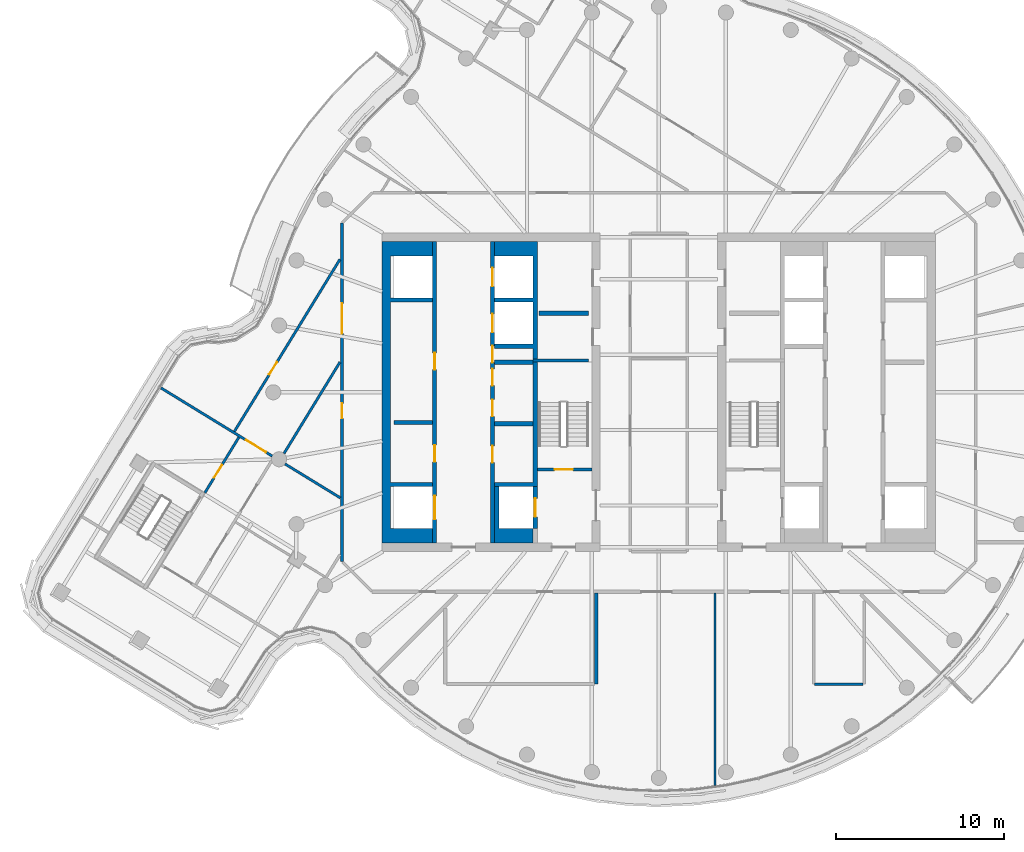
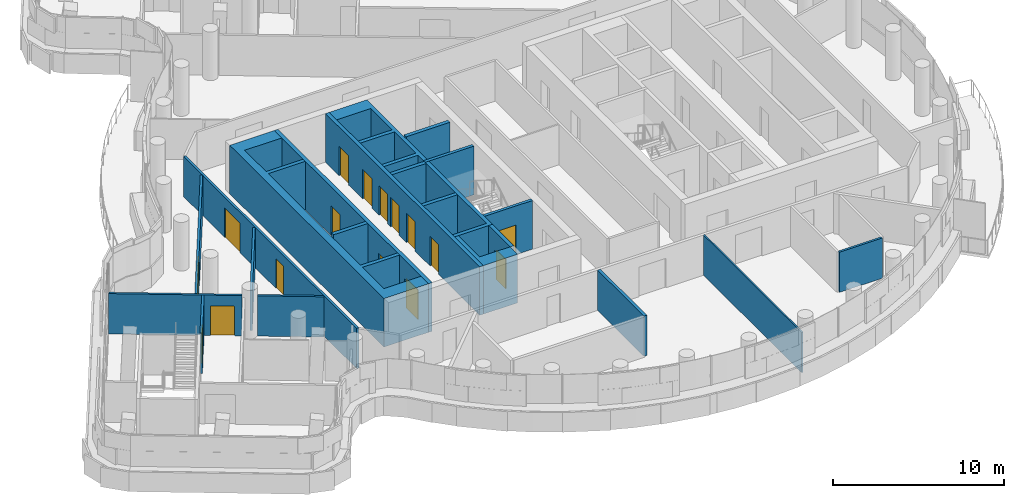
# One storey, part 17 of 27: 21 walls, 16 doors, 16 openings.
"""IFC4 building model written with IfcOpenShell, lengths in metres."""

from ifc_helpers import new_model, si_unit, direction, frame, frame_2d, origin, place, context, subcontext, project, spatial, polyline, rectangle, outline, extrude, material, layer, layer_set, type_object, element, fill, save


model = new_model("IFC4")

# Units and contexts
model_context = context("Model", 3, precision=1e-05, world=origin(), true_north=direction((0.0, 1.0)))
body_context = subcontext(model_context, "Body", "Model", "MODEL_VIEW")
ifc_project = project(units=[si_unit("LENGTHUNIT", "METRE"), si_unit("AREAUNIT", "SQUARE_METRE"), si_unit("VOLUMEUNIT", "CUBIC_METRE"), si_unit("PLANEANGLEUNIT", "RADIAN"), si_unit("MASSUNIT", "GRAM", prefix="KILO")], contexts=[model_context])

# Site, building, storey
site_placement = place(None, origin())
site = spatial("IfcSite", under=ifc_project, at=site_placement, CompositionType="ELEMENT")
building_placement = place(site_placement, origin())
building = spatial("IfcBuilding", under=site, at=building_placement, Name="Tamarind Cross Interchange Tower", CompositionType="ELEMENT")
storey_placement = place(building_placement, frame((0.0, 0.0, 245.10009765625)))
storey = spatial("IfcBuildingStorey", under=building, at=storey_placement, Name="L62", CompositionType="ELEMENT", Elevation=245.10009765625)

# Walls
ifc_material_1 = material(Name="Concrete C50", Category="concrete")
ifc_layer_1 = layer(ifc_material_1, 0.5)
ifc_layer_set_1 = layer_set([ifc_layer_1], Name="Concrete C50")
wall_type_1 = type_object("IfcWallType", Name="Core wall 500 mm Concrete C50", PredefinedType="SHEAR", material=ifc_layer_set_1)
wall_1_placement = place(storey_placement, origin())
element("IfcWall", 1, at=wall_1_placement, inside=storey, type_object=wall_type_1, Name="Core wall CWL-L62-W-A", PredefinedType="SHEAR", context=body_context, shape_type="SweptSolid", body=[
    extrude(outline(polyline([(-13.5, -8.125), (-16.0, -8.125), (-16.0, -5.625), (-13.5, -5.625), (-13.5, -5.375), (-16.0, -5.375), (-16.0, 5.375), (-13.5, 5.375), (-13.5, 5.625), (-16.0, 5.625), (-16.0, 8.125), (-13.5, 8.125), (-13.5, 9.0), (-16.0, 9.0), (-16.5, 9.0), (-16.5, -9.0), (-16.0, -9.0), (-13.5, -9.0), (-13.5, -8.125)])), origin(), (0.0, 0.0, 1.0), 3.4599609375),
])
ifc_layer_2 = layer(ifc_material_1, 0.199951171875)
ifc_layer_set_2 = layer_set([ifc_layer_2], Name="Concrete C50")
wall_type_2 = type_object("IfcWallType", Name="Core web wall 200 mm Concrete C50", PredefinedType="SHEAR", material=ifc_layer_set_2)
wall_2_placement = place(storey_placement, frame((-7.5, 1.89990234375, 0.0), z_axis=(0.0, 0.0, 1.0), x_axis=(1.0, 0.0, 0.0)))
element("IfcWall", 2, at=wall_2_placement, inside=storey, type_object=wall_type_2, Name="Core wall CWL-L62-W-BD", PredefinedType="SHEAR", context=body_context, shape_type="SweptSolid", body=[
    extrude(rectangle(XDim=3.300048828125, YDim=0.199951171875, at=frame_2d((1.64990234375, 0.0))), origin(), (0.0, 0.0, 1.0), 3.4599609375),
])
ifc_layer_3 = layer(ifc_material_1, 0.25)
ifc_layer_set_3 = layer_set([ifc_layer_3], Name="Concrete C50")
wall_type_3 = type_object("IfcWallType", Name="Core web wall 250 mm Concrete C50", PredefinedType="SHEAR", material=ifc_layer_set_3)
wall_3_placement = place(storey_placement, origin())
element("IfcWall", 3, at=wall_3_placement, inside=storey, type_object=wall_type_3, Name="Core wall CWL-L62-W-BN", PredefinedType="SHEAR", context=body_context, shape_type="SweptSolid", body=[
    extrude(outline(polyline([(-9.800048828125, -5.375), (-9.800048828125, -5.625), (-7.5, -5.625), (-7.25, -5.625), (-7.25, 9.0), (-7.5, 9.0), (-9.800048828125, 9.0), (-9.800048828125, 8.125), (-7.5, 8.125), (-7.5, 5.625), (-9.800048828125, 5.625), (-9.800048828125, 5.375), (-7.5, 5.375), (-7.5, 2.875), (-9.800048828125, 2.875), (-9.800048828125, 2.625), (-7.5, 2.625), (-7.5, -5.375), (-9.800048828125, -5.375)])), origin(), (0.0, 0.0, 1.0), 3.4599609375),
])
wall_4_placement = place(storey_placement, origin())
element("IfcWall", 4, at=wall_4_placement, inside=storey, type_object=wall_type_3, Name="Core wall CWL-L62-W-BS", PredefinedType="SHEAR", context=body_context, shape_type="SweptSolid", body=[
    extrude(outline(polyline([(-7.5, -8.125), (-9.550048828125, -8.125), (-9.550048828125, -5.625), (-9.800048828125, -5.625), (-9.800048828125, -8.125), (-9.800048828125, -9.0), (-7.5, -9.0), (-7.5, -8.125)])), origin(), (0.0, 0.0, 1.0), 3.4599609375),
])

# Wall, openings, doors
wall_5_placement = place(storey_placement, frame((-13.375, -9.0, 0.0), z_axis=(0.0, 0.0, 1.0), x_axis=(0.0, 1.0, 0.0)))
wall_5 = element("IfcWall", 5, at=wall_5_placement, inside=storey, type_object=wall_type_3, Name="Core wall CWL-L62-W-LA", PredefinedType="SHEAR", context=body_context, shape_type="SweptSolid", body=[
    extrude(rectangle(XDim=18.0, YDim=0.25, at=frame_2d((9.0, 0.0))), origin(), (0.0, 0.0, 1.0), 3.4599609375),
])
opening_1_placement = place(wall_5_placement, frame((1.425048828125, 0.0, 0.0)))
opening_1 = element("IfcOpeningElement", 6, at=opening_1_placement, cuts=wall_5, Name="Opening LD1L62", PredefinedType="OPENING", context=body_context, shape_type="SweptSolid", body=[
    extrude(rectangle(XDim=1.39990234375, YDim=2.10009765625, at=frame_2d((0.699951171875, 1.050048828125))), frame((0.0, 0.135009765625, 0.0), z_axis=(0.0, -1.0, 0.0), x_axis=(1.0, 0.0, 0.0)), (0.0, 0.0, 1.0), 0.27001953125),
])
opening_2_placement = place(wall_5_placement, frame((4.85400390625, 0.0, 0.0)))
opening_2 = element("IfcOpeningElement", 7, at=opening_2_placement, cuts=wall_5, Name="Opening DCW9", PredefinedType="OPENING", context=body_context, shape_type="SweptSolid", body=[
    extrude(rectangle(XDim=1.0, YDim=2.10009765625, at=frame_2d((0.5, 1.050048828125))), frame((0.0, 0.135009765625, 0.0), z_axis=(0.0, -1.0, 0.0), x_axis=(1.0, 0.0, 0.0)), (0.0, 0.0, 1.0), 0.27001953125),
])
opening_3_placement = place(wall_5_placement, frame((10.35400390625, 0.0, 0.0)))
opening_3 = element("IfcOpeningElement", 8, at=opening_3_placement, cuts=wall_5, Name="Opening DCW10", PredefinedType="OPENING", context=body_context, shape_type="SweptSolid", body=[
    extrude(rectangle(XDim=1.0, YDim=2.10009765625, at=frame_2d((0.5, 1.050048828125))), frame((0.0, 0.135009765625, 0.0), z_axis=(0.0, -1.0, 0.0), x_axis=(1.0, 0.0, 0.0)), (0.0, 0.0, 1.0), 0.27001953125),
])
ifc_material_2 = material(Name="Steel, fire-resisting", Category="steel")
door_type_1 = type_object("IfcDoorType", Name="Core fire door 1000 x 2100 FD90", OperationType="SINGLE_SWING_LEFT", PredefinedType="DOOR", material=ifc_material_2)
door_1_placement = place(opening_2_placement, origin())
door_1 = element("IfcDoor", 9, at=door_1_placement, inside=storey, type_object=door_type_1, Name="L62 Staff changing room door", OperationType="SINGLE_SWING_LEFT", OverallHeight=2.10009765625, OverallWidth=1.0, PredefinedType="DOOR", context=body_context, shape_type="SweptSolid", body=[
    extrude(rectangle(XDim=1.0, YDim=2.10009765625, at=frame_2d((0.5, 1.050048828125))), frame((0.0, 0.02490234375, 0.0), z_axis=(0.0, -1.0, 0.0), x_axis=(1.0, 0.0, 0.0)), (0.0, 0.0, 1.0), 0.050048828125),
])
fill(opening_2, door_1)
door_2_placement = place(opening_3_placement, origin())
door_2 = element("IfcDoor", 10, at=door_2_placement, inside=storey, type_object=door_type_1, Name="L62 Ice and vending room door", OperationType="SINGLE_SWING_LEFT", OverallHeight=2.10009765625, OverallWidth=1.0, PredefinedType="DOOR", context=body_context, shape_type="SweptSolid", body=[
    extrude(rectangle(XDim=1.0, YDim=2.10009765625, at=frame_2d((0.5, 1.050048828125))), frame((0.0, 0.02490234375, 0.0), z_axis=(0.0, -1.0, 0.0), x_axis=(1.0, 0.0, 0.0)), (0.0, 0.0, 1.0), 0.050048828125),
])
fill(opening_3, door_2)
ifc_material_3 = material(Name="Stainless steel panel", Category="steel")
door_type_2 = type_object("IfcDoorType", Name="Lift landing door 1400 x 2100 E 120", OperationType="SLIDING_TO_LEFT", PredefinedType="DOOR", material=ifc_material_3)
door_3_placement = place(opening_1_placement, origin())
door_3 = element("IfcDoor", 11, at=door_3_placement, inside=storey, type_object=door_type_2, Name="L62 landing door LF1", OperationType="SLIDING_TO_LEFT", OverallHeight=2.10009765625, OverallWidth=1.39990234375, PredefinedType="DOOR", context=body_context, shape_type="SweptSolid", body=[
    extrude(rectangle(XDim=1.39990234375, YDim=2.10009765625, at=frame_2d((0.699951171875, 1.050048828125))), frame((0.0, 0.02490234375, 0.0), z_axis=(0.0, -1.0, 0.0), x_axis=(1.0, 0.0, 0.0)), (0.0, 0.0, 1.0), 0.050048828125),
])
fill(opening_1, door_3)

wall_6_placement = place(storey_placement, frame((-9.925048828125, -9.0, 0.0), z_axis=(0.0, 0.0, 1.0), x_axis=(0.0, 1.0, 0.0)))
wall_6 = element("IfcWall", 12, at=wall_6_placement, inside=storey, type_object=wall_type_3, Name="Core wall CWL-L62-W-LB", PredefinedType="SHEAR", context=body_context, shape_type="SweptSolid", body=[
    extrude(rectangle(XDim=18.0, YDim=0.25, at=frame_2d((9.0, 0.0))), origin(), (0.0, 0.0, 1.0), 3.4599609375),
])
opening_4_placement = place(wall_6_placement, frame((12.574951171875, 0.0, 0.0)))
opening_4 = element("IfcOpeningElement", 13, at=opening_4_placement, cuts=wall_6, Name="Opening LD11L62", PredefinedType="OPENING", context=body_context, shape_type="SweptSolid", body=[
    extrude(rectangle(XDim=1.10009765625, YDim=2.10009765625, at=frame_2d((0.550048828125, 1.050048828125))), frame((0.0, 0.135009765625, 0.0), z_axis=(0.0, -1.0, 0.0), x_axis=(1.0, 0.0, 0.0)), (0.0, 0.0, 1.0), 0.27001953125),
])
opening_5_placement = place(wall_6_placement, frame((15.324951171875, 0.0, 0.0)))
opening_5 = element("IfcOpeningElement", 14, at=opening_5_placement, cuts=wall_6, Name="Opening LD12L62", PredefinedType="OPENING", context=body_context, shape_type="SweptSolid", body=[
    extrude(rectangle(XDim=1.10009765625, YDim=2.10009765625, at=frame_2d((0.550048828125, 1.050048828125))), frame((0.0, 0.135009765625, 0.0), z_axis=(0.0, -1.0, 0.0), x_axis=(1.0, 0.0, 0.0)), (0.0, 0.0, 1.0), 0.27001953125),
])
opening_6_placement = place(wall_6_placement, frame((4.8125, 0.0, 0.0)))
opening_6 = element("IfcOpeningElement", 15, at=opening_6_placement, cuts=wall_6, Name="Opening DCW21", PredefinedType="OPENING", context=body_context, shape_type="SweptSolid", body=[
    extrude(rectangle(XDim=1.0, YDim=2.10009765625, at=frame_2d((0.5, 1.050048828125))), frame((0.0, 0.135009765625, 0.0), z_axis=(0.0, -1.0, 0.0), x_axis=(1.0, 0.0, 0.0)), (0.0, 0.0, 1.0), 0.27001953125),
])
opening_7_placement = place(wall_6_placement, frame((7.5625, 0.0, 0.0)))
opening_7 = element("IfcOpeningElement", 16, at=opening_7_placement, cuts=wall_6, Name="Opening DCW22", PredefinedType="OPENING", context=body_context, shape_type="SweptSolid", body=[
    extrude(rectangle(XDim=1.0, YDim=2.10009765625, at=frame_2d((0.5, 1.050048828125))), frame((0.0, 0.135009765625, 0.0), z_axis=(0.0, -1.0, 0.0), x_axis=(1.0, 0.0, 0.0)), (0.0, 0.0, 1.0), 0.27001953125),
])
opening_8_placement = place(wall_6_placement, frame((9.39599609375, 0.0, 0.0)))
opening_8 = element("IfcOpeningElement", 17, at=opening_8_placement, cuts=wall_6, Name="Opening DCW21", PredefinedType="OPENING", context=body_context, shape_type="SweptSolid", body=[
    extrude(rectangle(XDim=1.0, YDim=2.10009765625, at=frame_2d((0.5, 1.050048828125))), frame((0.0, 0.135009765625, 0.0), z_axis=(0.0, -1.0, 0.0), x_axis=(1.0, 0.0, 0.0)), (0.0, 0.0, 1.0), 0.27001953125),
])
opening_9_placement = place(wall_6_placement, frame((10.77099609375, 0.0, 0.0)))
opening_9 = element("IfcOpeningElement", 18, at=opening_9_placement, cuts=wall_6, Name="Opening DCW22", PredefinedType="OPENING", context=body_context, shape_type="SweptSolid", body=[
    extrude(rectangle(XDim=1.0, YDim=2.10009765625, at=frame_2d((0.5, 1.050048828125))), frame((0.0, 0.135009765625, 0.0), z_axis=(0.0, -1.0, 0.0), x_axis=(1.0, 0.0, 0.0)), (0.0, 0.0, 1.0), 0.27001953125),
])
door_4_placement = place(opening_6_placement, origin())
door_4 = element("IfcDoor", 19, at=door_4_placement, inside=storey, type_object=door_type_1, Name="L62 Ice and vending room door", OperationType="SINGLE_SWING_LEFT", OverallHeight=2.10009765625, OverallWidth=1.0, PredefinedType="DOOR", context=body_context, shape_type="SweptSolid", body=[
    extrude(rectangle(XDim=1.0, YDim=2.10009765625, at=frame_2d((0.5, 1.050048828125))), frame((0.0, 0.02490234375, 0.0), z_axis=(0.0, -1.0, 0.0), x_axis=(1.0, 0.0, 0.0)), (0.0, 0.0, 1.0), 0.050048828125),
])
fill(opening_6, door_4)
door_5_placement = place(opening_7_placement, origin())
door_5 = element("IfcDoor", 20, at=door_5_placement, inside=storey, type_object=door_type_1, Name="L62 Guest laundry door", OperationType="SINGLE_SWING_LEFT", OverallHeight=2.10009765625, OverallWidth=1.0, PredefinedType="DOOR", context=body_context, shape_type="SweptSolid", body=[
    extrude(rectangle(XDim=1.0, YDim=2.10009765625, at=frame_2d((0.5, 1.050048828125))), frame((0.0, 0.02490234375, 0.0), z_axis=(0.0, -1.0, 0.0), x_axis=(1.0, 0.0, 0.0)), (0.0, 0.0, 1.0), 0.050048828125),
])
fill(opening_7, door_5)
door_6_placement = place(opening_8_placement, origin())
door_6 = element("IfcDoor", 21, at=door_6_placement, inside=storey, type_object=door_type_1, Name="L62 Ice and vending room door", OperationType="SINGLE_SWING_LEFT", OverallHeight=2.10009765625, OverallWidth=1.0, PredefinedType="DOOR", context=body_context, shape_type="SweptSolid", body=[
    extrude(rectangle(XDim=1.0, YDim=2.10009765625, at=frame_2d((0.5, 1.050048828125))), frame((0.0, 0.02490234375, 0.0), z_axis=(0.0, -1.0, 0.0), x_axis=(1.0, 0.0, 0.0)), (0.0, 0.0, 1.0), 0.050048828125),
])
fill(opening_8, door_6)
door_7_placement = place(opening_9_placement, origin())
door_7 = element("IfcDoor", 22, at=door_7_placement, inside=storey, type_object=door_type_1, Name="L62 Guest laundry door", OperationType="SINGLE_SWING_LEFT", OverallHeight=2.10009765625, OverallWidth=1.0, PredefinedType="DOOR", context=body_context, shape_type="SweptSolid", body=[
    extrude(rectangle(XDim=1.0, YDim=2.10009765625, at=frame_2d((0.5, 1.050048828125))), frame((0.0, 0.02490234375, 0.0), z_axis=(0.0, -1.0, 0.0), x_axis=(1.0, 0.0, 0.0)), (0.0, 0.0, 1.0), 0.050048828125),
])
fill(opening_9, door_7)
door_type_3 = type_object("IfcDoorType", Name="Lift landing door 1100 x 2100 E 120", OperationType="SLIDING_TO_LEFT", PredefinedType="DOOR", material=ifc_material_3)
door_8_placement = place(opening_4_placement, origin())
door_8 = element("IfcDoor", 23, at=door_8_placement, inside=storey, type_object=door_type_3, Name="L62 landing door LF11", OperationType="SLIDING_TO_LEFT", OverallHeight=2.10009765625, OverallWidth=1.10009765625, PredefinedType="DOOR", context=body_context, shape_type="SweptSolid", body=[
    extrude(rectangle(XDim=1.10009765625, YDim=2.10009765625, at=frame_2d((0.550048828125, 1.050048828125))), frame((0.0, 0.02490234375, 0.0), z_axis=(0.0, -1.0, 0.0), x_axis=(1.0, 0.0, 0.0)), (0.0, 0.0, 1.0), 0.050048828125),
])
fill(opening_4, door_8)
door_9_placement = place(opening_5_placement, origin())
door_9 = element("IfcDoor", 24, at=door_9_placement, inside=storey, type_object=door_type_3, Name="L62 landing door LF12", OperationType="SLIDING_TO_LEFT", OverallHeight=2.10009765625, OverallWidth=1.10009765625, PredefinedType="DOOR", context=body_context, shape_type="SweptSolid", body=[
    extrude(rectangle(XDim=1.10009765625, YDim=2.10009765625, at=frame_2d((0.550048828125, 1.050048828125))), frame((0.0, 0.02490234375, 0.0), z_axis=(0.0, -1.0, 0.0), x_axis=(1.0, 0.0, 0.0)), (0.0, 0.0, 1.0), 0.050048828125),
])
fill(opening_5, door_9)

# Wall, opening, door
wall_7_placement = place(storey_placement, frame((-7.375, -8.125, 0.0), z_axis=(0.0, 0.0, 1.0), x_axis=(0.0, 1.0, 0.0)))
wall_7 = element("IfcWall", 25, at=wall_7_placement, inside=storey, type_object=wall_type_3, Name="Core wall CWL-L62-W-FF", PredefinedType="SHEAR", context=body_context, shape_type="SweptSolid", body=[
    extrude(rectangle(XDim=2.5, YDim=0.25, at=frame_2d((1.25, 0.0))), origin(), (0.0, 0.0, 1.0), 3.4599609375),
])
opening_10_placement = place(wall_7_placement, frame((0.699951171875, 0.0, 0.0)))
opening_10 = element("IfcOpeningElement", 26, at=opening_10_placement, cuts=wall_7, Name="Opening LD7L62", PredefinedType="OPENING", context=body_context, shape_type="SweptSolid", body=[
    extrude(rectangle(XDim=1.10009765625, YDim=2.10009765625, at=frame_2d((0.550048828125, 1.050048828125))), frame((0.0, 0.135009765625, 0.0), z_axis=(0.0, -1.0, 0.0), x_axis=(1.0, 0.0, 0.0)), (0.0, 0.0, 1.0), 0.27001953125),
])
door_10_placement = place(opening_10_placement, origin())
door_10 = element("IfcDoor", 27, at=door_10_placement, inside=storey, type_object=door_type_3, Name="L62 landing door LF7", OperationType="SLIDING_TO_LEFT", OverallHeight=2.10009765625, OverallWidth=1.10009765625, PredefinedType="DOOR", context=body_context, shape_type="SweptSolid", body=[
    extrude(rectangle(XDim=1.10009765625, YDim=2.10009765625, at=frame_2d((0.550048828125, 1.050048828125))), frame((0.0, 0.02490234375, 0.0), z_axis=(0.0, -1.0, 0.0), x_axis=(1.0, 0.0, 0.0)), (0.0, 0.0, 1.0), 0.050048828125),
])
fill(opening_10, door_10)

# Wall
ifc_material_4 = material(Name="Gypsum board partition on steel studs", Category="steel")
ifc_layer_4 = layer(ifc_material_4, 0.10009765625)
ifc_layer_set_4 = layer_set([ifc_layer_4], Name="Gypsum board partition on steel studs")
wall_type_4 = type_object("IfcWallType", Name="Partition 100 mm EI 90", PredefinedType="PARTITIONING", material=ifc_layer_set_4)
wall_8_placement = place(storey_placement, frame((3.347900390625, -23.438720703125, 0.0), z_axis=(0.0, 0.0, 1.0), x_axis=(0.0, 1.0, 0.0)))
element("IfcWall", 28, at=wall_8_placement, inside=storey, type_object=wall_type_4, Name="Partition L62-061", PredefinedType="PARTITIONING", context=body_context, shape_type="SweptSolid", body=[
    extrude(rectangle(XDim=11.458740234375, YDim=0.10009765625, at=frame_2d((5.7294921875, 0.0))), origin(), (0.0, 0.0, 1.0), 2.864013671875),
])

# Wall, opening, door
ifc_layer_5 = layer(ifc_material_4, 0.14990234375)
ifc_layer_set_5 = layer_set([ifc_layer_5], Name="Gypsum board partition on steel studs")
wall_type_5 = type_object("IfcWallType", Name="Partition 150 mm EI 120", PredefinedType="PARTITIONING", material=ifc_layer_set_5)
wall_9_placement = place(storey_placement, frame((-29.6962890625, 0.260498046875, 0.0), z_axis=(0.0, 0.0, 1.0), x_axis=(0.852605760598, -0.522554702395, 0.0)))
wall_9 = element("IfcWall", 29, at=wall_9_placement, inside=storey, type_object=wall_type_5, Name="Partition L62-004", PredefinedType="PARTITIONING", context=body_context, shape_type="SweptSolid", body=[
    extrude(rectangle(XDim=7.783203125, YDim=0.14990234375, at=frame_2d((3.8916015625, 0.0))), origin(), (0.0, 0.0, 1.0), 2.864013671875),
])
opening_11_placement = place(wall_9_placement, frame((5.948974609375, 0.0, 0.0)))
opening_11 = element("IfcOpeningElement", 30, at=opening_11_placement, cuts=wall_9, Name="Opening D01", PredefinedType="OPENING", context=body_context, shape_type="SweptSolid", body=[
    extrude(rectangle(XDim=1.39990234375, YDim=2.10009765625, at=frame_2d((0.699951171875, 1.050048828125))), frame((0.0, 0.0849609375, 0.0), z_axis=(0.0, -1.0, 0.0), x_axis=(1.0, 0.0, 0.0)), (0.0, 0.0, 1.0), 0.169921875),
])
ifc_material_5 = material(Name="Fire-resisting door set")
door_type_4 = type_object("IfcDoorType", Name="Interior door 1400 x 2100 FD60S", OperationType="DOUBLE_DOOR_SINGLE_SWING", PredefinedType="DOOR", material=ifc_material_5)
door_11_placement = place(opening_11_placement, origin())
door_11 = element("IfcDoor", 31, at=door_11_placement, inside=storey, type_object=door_type_4, Name="Door D01", OperationType="DOUBLE_DOOR_SINGLE_SWING", OverallHeight=2.10009765625, OverallWidth=1.39990234375, PredefinedType="DOOR", context=body_context, shape_type="SweptSolid", body=[
    extrude(rectangle(XDim=1.39990234375, YDim=2.10009765625, at=frame_2d((0.699951171875, 1.050048828125))), frame((0.0, 0.02490234375, 0.0), z_axis=(0.0, -1.0, 0.0), x_axis=(1.0, 0.0, 0.0)), (0.0, 0.0, 1.0), 0.050048828125),
])
fill(opening_11, door_11)

# Walls
wall_10_placement = place(storey_placement, frame((-22.300537109375, -4.272216796875, 0.0), z_axis=(0.0, 0.0, 1.0), x_axis=(0.852599442673, -0.522565010648, 0.0)))
element("IfcWall", 32, at=wall_10_placement, inside=storey, type_object=wall_type_5, Name="Partition L62-005", PredefinedType="PARTITIONING", context=body_context, shape_type="SweptSolid", body=[
    extrude(rectangle(XDim=3.877685546875, YDim=0.14990234375, at=frame_2d((1.93896484375, 0.0))), origin(), (0.0, 0.0, 1.0), 2.864013671875),
])
wall_11_placement = place(storey_placement, frame((9.2958984375, -17.39990234375, 0.0), z_axis=(0.0, 0.0, 1.0), x_axis=(1.0, 0.0, 0.0)))
element("IfcWall", 33, at=wall_11_placement, inside=storey, type_object=wall_type_5, Name="Partition L62-028", PredefinedType="PARTITIONING", context=body_context, shape_type="SweptSolid", body=[
    extrude(rectangle(XDim=2.89013671875, YDim=0.14990234375, at=frame_2d((1.445068359375, 0.0))), origin(), (0.0, 0.0, 1.0), 2.864013671875),
])

# Wall, opening, door
wall_12_placement = place(storey_placement, frame((-25.315185546875, -2.33203125, 0.0), z_axis=(0.0, 0.0, 1.0), x_axis=(0.522799283553, 0.852455810653, 0.0)))
wall_12 = element("IfcWall", 34, at=wall_12_placement, inside=storey, type_object=wall_type_5, Name="Partition L62-039", PredefinedType="PARTITIONING", context=body_context, shape_type="SweptSolid", body=[
    extrude(rectangle(XDim=12.041259765625, YDim=0.14990234375, at=frame_2d((6.0205078125, 0.0))), origin(), (0.0, 0.0, 1.0), 2.864013671875),
])
opening_12_placement = place(wall_12_placement, frame((3.969970703125, 0.0, 0.0)))
opening_12 = element("IfcOpeningElement", 35, at=opening_12_placement, cuts=wall_12, Name="Opening D19", PredefinedType="OPENING", context=body_context, shape_type="SweptSolid", body=[
    extrude(rectangle(XDim=0.89990234375, YDim=2.10009765625, at=frame_2d((0.449951171875, 1.050048828125))), frame((0.0, 0.0849609375, 0.0), z_axis=(0.0, -1.0, 0.0), x_axis=(1.0, 0.0, 0.0)), (0.0, 0.0, 1.0), 0.169921875),
])
door_type_5 = type_object("IfcDoorType", Name="Interior door 900 x 2100 FD60S", OperationType="SINGLE_SWING_LEFT", PredefinedType="DOOR", material=ifc_material_5)
door_12_placement = place(opening_12_placement, origin())
door_12 = element("IfcDoor", 36, at=door_12_placement, inside=storey, type_object=door_type_5, Name="Door D19", OperationType="SINGLE_SWING_RIGHT", OverallHeight=2.10009765625, OverallWidth=0.89990234375, PredefinedType="DOOR", context=body_context, shape_type="SweptSolid", body=[
    extrude(rectangle(XDim=0.89990234375, YDim=2.10009765625, at=frame_2d((0.449951171875, 1.050048828125))), frame((0.0, 0.02490234375, 0.0), z_axis=(0.0, -1.0, 0.0), x_axis=(1.0, 0.0, 0.0)), (0.0, 0.0, 1.0), 0.050048828125),
])
fill(opening_12, door_12)

wall_13_placement = place(storey_placement, frame((-27.076904296875, -5.989990234375, 0.0), z_axis=(0.0, 0.0, 1.0), x_axis=(0.522393858558, 0.852704319528, 0.0)))
wall_13 = element("IfcWall", 37, at=wall_13_placement, inside=storey, type_object=wall_type_5, Name="Partition L62-052", PredefinedType="PARTITIONING", context=body_context, shape_type="SweptSolid", body=[
    extrude(rectangle(XDim=3.88037109375, YDim=0.14990234375, at=frame_2d((1.940185546875, 0.0))), origin(), (0.0, 0.0, 1.0), 2.864013671875),
])
opening_13_placement = place(wall_13_placement, frame((1.050048828125, 0.0, 0.0)))
opening_13 = element("IfcOpeningElement", 38, at=opening_13_placement, cuts=wall_13, Name="Opening D26", PredefinedType="OPENING", context=body_context, shape_type="SweptSolid", body=[
    extrude(rectangle(XDim=0.89990234375, YDim=2.10009765625, at=frame_2d((0.449951171875, 1.050048828125))), frame((0.0, 0.0849609375, 0.0), z_axis=(0.0, -1.0, 0.0), x_axis=(1.0, 0.0, 0.0)), (0.0, 0.0, 1.0), 0.169921875),
])
door_13_placement = place(opening_13_placement, origin())
door_13 = element("IfcDoor", 39, at=door_13_placement, inside=storey, type_object=door_type_5, Name="Door D26", OperationType="SINGLE_SWING_RIGHT", OverallHeight=2.10009765625, OverallWidth=0.89990234375, PredefinedType="DOOR", context=body_context, shape_type="SweptSolid", body=[
    extrude(rectangle(XDim=0.89990234375, YDim=2.10009765625, at=frame_2d((0.449951171875, 1.050048828125))), frame((0.0, 0.02490234375, 0.0), z_axis=(0.0, -1.0, 0.0), x_axis=(1.0, 0.0, 0.0)), (0.0, 0.0, 1.0), 0.050048828125),
])
fill(opening_13, door_13)

# Wall
wall_14_placement = place(storey_placement, frame((-22.3623046875, -3.65380859375, 0.0), z_axis=(0.0, 0.0, 1.0), x_axis=(0.522380406817, 0.852712560347, 0.0)))
element("IfcWall", 40, at=wall_14_placement, inside=storey, type_object=wall_type_5, Name="Partition L62-053", PredefinedType="PARTITIONING", context=body_context, shape_type="SweptSolid", body=[
    extrude(rectangle(XDim=6.398193359375, YDim=0.14990234375, at=frame_2d((3.19921875, 0.0))), origin(), (0.0, 0.0, 1.0), 2.864013671875),
])

# Wall, openings, doors
wall_15_placement = place(storey_placement, frame((-18.89990234375, -10.10009765625, 0.0), z_axis=(0.0, 0.0, 1.0), x_axis=(0.0, 1.0, 0.0)))
wall_15 = element("IfcWall", 41, at=wall_15_placement, inside=storey, type_object=wall_type_5, Name="Partition L62-056", PredefinedType="PARTITIONING", context=body_context, shape_type="SweptSolid", body=[
    extrude(rectangle(XDim=20.2001953125, YDim=0.14990234375, at=frame_2d((10.10009765625, 0.0))), origin(), (0.0, 0.0, 1.0), 2.864013671875),
])
opening_14_placement = place(wall_15_placement, frame((13.597900390625, 0.0, 0.0)))
opening_14 = element("IfcOpeningElement", 42, at=opening_14_placement, cuts=wall_15, Name="Opening D28", PredefinedType="OPENING", context=body_context, shape_type="SweptSolid", body=[
    extrude(rectangle(XDim=1.800048828125, YDim=2.10009765625, at=frame_2d((0.89990234375, 1.050048828125))), frame((0.0, 0.0849609375, 0.0), z_axis=(0.0, -1.0, 0.0), x_axis=(1.0, 0.0, 0.0)), (0.0, 0.0, 1.0), 0.169921875),
])
opening_15_placement = place(wall_15_placement, frame((8.544921875, 0.0, 0.0)))
opening_15 = element("IfcOpeningElement", 43, at=opening_15_placement, cuts=wall_15, Name="Opening D29", PredefinedType="OPENING", context=body_context, shape_type="SweptSolid", body=[
    extrude(rectangle(XDim=0.89990234375, YDim=2.10009765625, at=frame_2d((0.449951171875, 1.050048828125))), frame((0.0, 0.0849609375, 0.0), z_axis=(0.0, -1.0, 0.0), x_axis=(1.0, 0.0, 0.0)), (0.0, 0.0, 1.0), 0.169921875),
])
door_type_6 = type_object("IfcDoorType", Name="Interior door 1800 x 2100 FD60S", OperationType="DOUBLE_DOOR_SINGLE_SWING", PredefinedType="DOOR", material=ifc_material_5)
door_14_placement = place(opening_14_placement, frame((1.800048828125, 0.0, 0.0), z_axis=(0.0, 0.0, 1.0), x_axis=(-1.0, 0.0, 0.0)))
door_14 = element("IfcDoor", 44, at=door_14_placement, inside=storey, type_object=door_type_6, Name="Door D28", OperationType="DOUBLE_DOOR_SINGLE_SWING", OverallHeight=2.10009765625, OverallWidth=1.800048828125, PredefinedType="DOOR", context=body_context, shape_type="SweptSolid", body=[
    extrude(rectangle(XDim=1.800048828125, YDim=2.10009765625, at=frame_2d((0.89990234375, 1.050048828125))), frame((0.0, 0.02490234375, 0.0), z_axis=(0.0, -1.0, 0.0), x_axis=(1.0, 0.0, 0.0)), (0.0, 0.0, 1.0), 0.050048828125),
])
fill(opening_14, door_14)
door_15_placement = place(opening_15_placement, origin())
door_15 = element("IfcDoor", 45, at=door_15_placement, inside=storey, type_object=door_type_5, Name="Door D29", OperationType="SINGLE_SWING_RIGHT", OverallHeight=2.10009765625, OverallWidth=0.89990234375, PredefinedType="DOOR", context=body_context, shape_type="SweptSolid", body=[
    extrude(rectangle(XDim=0.89990234375, YDim=2.10009765625, at=frame_2d((0.449951171875, 1.050048828125))), frame((0.0, 0.02490234375, 0.0), z_axis=(0.0, -1.0, 0.0), x_axis=(1.0, 0.0, 0.0)), (0.0, 0.0, 1.0), 0.050048828125),
])
fill(opening_15, door_15)

# Walls
ifc_layer_6 = layer(ifc_material_4, 0.199951171875)
ifc_layer_set_6 = layer_set([ifc_layer_6], Name="Gypsum board partition on steel studs")
wall_type_6 = type_object("IfcWallType", Name="Partition 200 mm EI 180", PredefinedType="PARTITIONING", material=ifc_layer_set_6)
wall_16_placement = place(storey_placement, frame((-3.740966796875, -17.39990234375, 0.0), z_axis=(0.0, 0.0, 1.0), x_axis=(0.0, 1.0, 0.0)))
element("IfcWall", 46, at=wall_16_placement, inside=storey, type_object=wall_type_6, Name="Partition L62-058", PredefinedType="PARTITIONING", context=body_context, shape_type="SweptSolid", body=[
    extrude(rectangle(XDim=5.419921875, YDim=0.199951171875, at=frame_2d((2.7099609375, 0.0))), origin(), (0.0, 0.0, 1.0), 2.864013671875),
])
ifc_material_6 = material(Name="Concrete C40", Category="concrete")
ifc_layer_7 = layer(ifc_material_6, 0.25)
ifc_layer_set_7 = layer_set([ifc_layer_7], Name="Concrete C40")
wall_type_7 = type_object("IfcWallType", Name="Shaft and lobby wall 250 mm Concrete C40", PredefinedType="PARTITIONING", material=ifc_layer_set_7)
wall_17_placement = place(storey_placement, frame((-7.14990234375, 4.719970703125, 0.0), z_axis=(0.0, 0.0, 1.0), x_axis=(1.0, 0.0, 0.0)))
element("IfcWall", 47, at=wall_17_placement, inside=storey, type_object=wall_type_7, Name="Shaft wall CWL-L62-W-SVP", PredefinedType="PARTITIONING", context=body_context, shape_type="SweptSolid", body=[
    extrude(rectangle(XDim=2.949951171875, YDim=0.25, at=frame_2d((1.47509765625, 0.0))), origin(), (0.0, 0.0, 1.0), 3.4599609375),
])
for number, where, z_axis, x_axis, name in (
    (48, (-15.800048828125, -1.7919921875, 0.0), (0.0, 0.0, 1.0), (1.0, 0.0, 0.0), "Shaft wall CWL-L62-W-FPA1"),
    (49, (-9.800048828125, -1.875, 0.0), (0.0, 0.0, 1.0), (1.0, 0.0, 0.0), "Shaft wall CWL-L62-W-FPB1"),
    (50, (-9.800048828125, 1.7919921875, 0.0), (0.0, 0.0, 1.0), (1.0, 0.0, 0.0), "Shaft wall CWL-L62-W-FPB3"),
):
    element("IfcWall", number, at=place(storey_placement, frame(where, z_axis=z_axis, x_axis=x_axis)), inside=storey, type_object=wall_type_7, Name=name, PredefinedType="PARTITIONING", context=body_context, shape_type="SweptSolid", body=[
        extrude(rectangle(XDim=2.300048828125, YDim=0.25, at=frame_2d((1.14990234375, 0.0))), origin(), (0.0, 0.0, 1.0), 3.4599609375),
    ])

# Wall, opening, door
ifc_layer_8 = layer(ifc_material_6, 0.199951171875)
ifc_layer_set_8 = layer_set([ifc_layer_8], Name="Concrete C40")
wall_type_8 = type_object("IfcWallType", Name="Stair shaft wall 200 mm Concrete C40", PredefinedType="SHEAR", material=ifc_layer_set_8)
wall_18_placement = place(storey_placement, frame((-7.25, -4.60009765625, 0.0), z_axis=(0.0, 0.0, 1.0), x_axis=(1.0, 0.0, 0.0)))
wall_18 = element("IfcWall", 51, at=wall_18_placement, inside=storey, type_object=wall_type_8, Name="Core wall CWL-L62-W-SD", PredefinedType="SHEAR", context=body_context, shape_type="SweptSolid", body=[
    extrude(rectangle(XDim=3.25, YDim=0.199951171875, at=frame_2d((1.625, 0.0))), origin(), (0.0, 0.0, 1.0), 3.4599609375),
])
opening_16_placement = place(wall_18_placement, frame((1.02490234375, 0.0, 0.0)))
opening_16 = element("IfcOpeningElement", 52, at=opening_16_placement, cuts=wall_18, Name="Opening DCW6", PredefinedType="OPENING", context=body_context, shape_type="SweptSolid", body=[
    extrude(rectangle(XDim=1.10009765625, YDim=2.10009765625, at=frame_2d((0.550048828125, 1.050048828125))), frame((0.0, 0.10986328125, 0.0), z_axis=(0.0, -1.0, 0.0), x_axis=(1.0, 0.0, 0.0)), (0.0, 0.0, 1.0), 0.219970703125),
])
door_type_7 = type_object("IfcDoorType", Name="Core fire door 1100 x 2100 FD90", OperationType="SINGLE_SWING_LEFT", PredefinedType="DOOR", material=ifc_material_2)
door_16_placement = place(opening_16_placement, origin())
door_16 = element("IfcDoor", 53, at=door_16_placement, inside=storey, type_object=door_type_7, Name="L62 stair door", OperationType="SINGLE_SWING_LEFT", OverallHeight=2.10009765625, OverallWidth=1.10009765625, PredefinedType="DOOR", context=body_context, shape_type="SweptSolid", body=[
    extrude(rectangle(XDim=1.10009765625, YDim=2.10009765625, at=frame_2d((0.550048828125, 1.050048828125))), frame((0.0, 0.02490234375, 0.0), z_axis=(0.0, -1.0, 0.0), x_axis=(1.0, 0.0, 0.0)), (0.0, 0.0, 1.0), 0.050048828125),
])
fill(opening_16, door_16)

save(model, "model.ifc")
